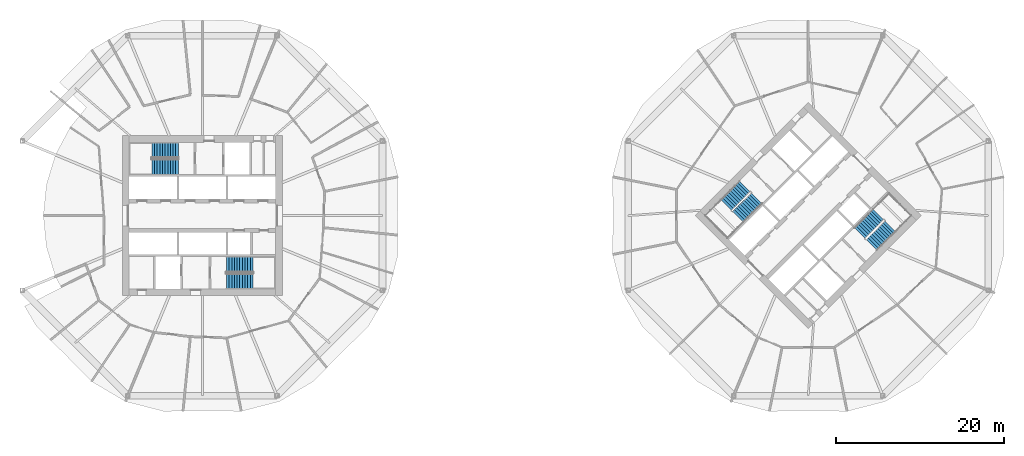
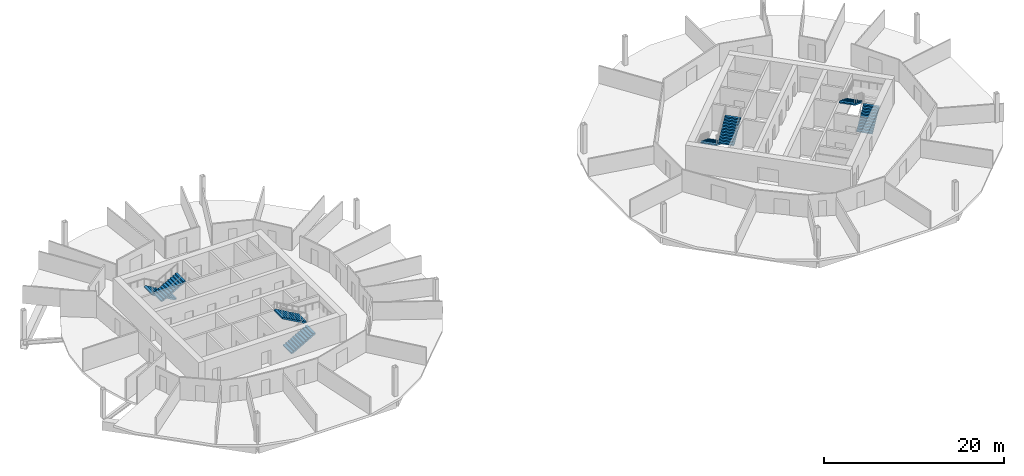
# One storey, part 9 of 10: 8 stair flights, 4 elements without a shape of their own.
"""IFC4 building model written with IfcOpenShell, lengths in metres."""

from ifc_helpers import new_model, si_unit, direction, frame, origin, place, context, subcontext, project, spatial, polyline, outline, extrude, material, type_object, element, aggregate, save


model = new_model("IFC4")

# Units and contexts
model_context = context("Model", 3, precision=1e-05, world=origin(), true_north=direction((0.0, 1.0)))
body_context = subcontext(model_context, "Body", "Model", "MODEL_VIEW")
ifc_project = project(units=[si_unit("LENGTHUNIT", "METRE"), si_unit("AREAUNIT", "SQUARE_METRE"), si_unit("VOLUMEUNIT", "CUBIC_METRE"), si_unit("PLANEANGLEUNIT", "RADIAN"), si_unit("MASSUNIT", "GRAM", prefix="KILO")], contexts=[model_context])

# Site, building, storey
site_placement = place(None, origin())
site = spatial("IfcSite", under=ifc_project, at=site_placement, CompositionType="ELEMENT")
building_placement = place(site_placement, origin())
building = spatial("IfcBuilding", under=site, at=building_placement, Name="Ogive Gate Towers", CompositionType="ELEMENT")
storey_placement = place(building_placement, frame((0.0, 0.0, 103.5)))
storey = spatial("IfcBuildingStorey", under=building, at=storey_placement, Name="L24", CompositionType="ELEMENT", Elevation=103.5)

# Stair, stair flights
ifc_material = material(Name="Concrete C40/50", Category="concrete")
stair_type = type_object("IfcStairType", Name="Escape stair 1840 wide", PredefinedType="HALF_TURN_STAIR", material=ifc_material)
stair_1_placement = place(storey_placement, origin())
stair_1 = element("IfcStair", 1, at=stair_1_placement, inside=storey, type_object=stair_type, Name="L24 Escape stair 1", PredefinedType="HALF_TURN_STAIR")
stair_flight_type = type_object("IfcStairFlightType", Name="Stair flight 1840 wide", PredefinedType="STRAIGHT", material=ifc_material)
stair_flight_1_placement = place(storey_placement, frame((-38.864990234375, 7.780029296875, 0.0), z_axis=(0.0, 0.0, 1.0), x_axis=(-1.0, 0.0, 0.0)))
stair_flight_1 = element("IfcStairFlight", 2, at=stair_flight_1_placement, type_object=stair_flight_type, Name="ST1 flight 1", NumberOfRisers=11, NumberOfTreads=10, PredefinedType="STRAIGHT", RiserHeight=0.177272727, TreadLength=0.313636364, context=body_context, shape_type="SweptSolid", body=[
    extrude(outline(polyline([(0.0, 0.0), (0.0, 0.17724609375), (0.313720703125, 0.17724609375), (0.313720703125, 0.3544921875), (0.627197265625, 0.3544921875), (0.627197265625, 0.53173828125), (0.94091796875, 0.53173828125), (0.94091796875, 0.708984375), (1.254638671875, 0.708984375), (1.254638671875, 0.886474609375), (1.568115234375, 0.886474609375), (1.568115234375, 1.063720703125), (1.8818359375, 1.063720703125), (1.8818359375, 1.240966796875), (2.195556640625, 1.240966796875), (2.195556640625, 1.418212890625), (2.509033203125, 1.418212890625), (2.509033203125, 1.595458984375), (2.82275390625, 1.595458984375), (2.82275390625, 1.772705078125), (3.136474609375, 1.772705078125), (3.136474609375, 1.949951171875), (3.136474609375, 1.6005859375), (0.3046875, 0.0), (0.0, 0.0)])), frame((0.0, 0.919921875, 0.0), z_axis=(0.0, -1.0, 0.0), x_axis=(1.0, 0.0, 0.0)), (0.0, 0.0, 1.0), 1.840087890625),
])
stair_flight_2_placement = place(storey_placement, frame((-42.00146484375, 5.794921875, 1.949951171875), z_axis=(0.0, 0.0, 1.0), x_axis=(1.0, 0.0, 0.0)))
stair_flight_2 = element("IfcStairFlight", 3, at=stair_flight_2_placement, type_object=stair_flight_type, Name="ST1 flight 2", NumberOfRisers=11, NumberOfTreads=10, PredefinedType="STRAIGHT", RiserHeight=0.177272727, TreadLength=0.313636364, context=body_context, shape_type="SweptSolid", body=[
    extrude(outline(polyline([(0.0, 0.0), (0.0, 0.17724609375), (0.313720703125, 0.17724609375), (0.313720703125, 0.3544921875), (0.627197265625, 0.3544921875), (0.627197265625, 0.53173828125), (0.94091796875, 0.53173828125), (0.94091796875, 0.708984375), (1.254638671875, 0.708984375), (1.254638671875, 0.886474609375), (1.568115234375, 0.886474609375), (1.568115234375, 1.063720703125), (1.8818359375, 1.063720703125), (1.8818359375, 1.240966796875), (2.195556640625, 1.240966796875), (2.195556640625, 1.418212890625), (2.509033203125, 1.418212890625), (2.509033203125, 1.595458984375), (2.82275390625, 1.595458984375), (2.82275390625, 1.772705078125), (3.136474609375, 1.772705078125), (3.136474609375, 1.949951171875), (3.136474609375, 1.6005859375), (0.3046875, 0.0), (0.0, 0.0)])), frame((0.0, 0.919921875, 0.0), z_axis=(0.0, -1.0, 0.0), x_axis=(1.0, 0.0, 0.0)), (0.0, 0.0, 1.0), 1.840087890625),
])
aggregate(stair_1, [stair_flight_1, stair_flight_2])

stair_2_placement = place(storey_placement, origin())
stair_2 = element("IfcStair", 4, at=stair_2_placement, inside=storey, type_object=stair_type, Name="L24 Escape stair 2", PredefinedType="HALF_TURN_STAIR")
stair_flight_3_placement = place(storey_placement, frame((-33.135009765625, -7.780029296875, 0.0), z_axis=(0.0, 0.0, 1.0), x_axis=(1.0, 0.0, 0.0)))
stair_flight_3 = element("IfcStairFlight", 5, at=stair_flight_3_placement, type_object=stair_flight_type, Name="ST2 flight 1", NumberOfRisers=11, NumberOfTreads=10, PredefinedType="STRAIGHT", RiserHeight=0.177272727, TreadLength=0.313636364, context=body_context, shape_type="SweptSolid", body=[
    extrude(outline(polyline([(0.0, 0.0), (0.0, 0.17724609375), (0.313720703125, 0.17724609375), (0.313720703125, 0.3544921875), (0.627197265625, 0.3544921875), (0.627197265625, 0.53173828125), (0.94091796875, 0.53173828125), (0.94091796875, 0.708984375), (1.254638671875, 0.708984375), (1.254638671875, 0.886474609375), (1.568115234375, 0.886474609375), (1.568115234375, 1.063720703125), (1.8818359375, 1.063720703125), (1.8818359375, 1.240966796875), (2.195556640625, 1.240966796875), (2.195556640625, 1.418212890625), (2.509033203125, 1.418212890625), (2.509033203125, 1.595458984375), (2.82275390625, 1.595458984375), (2.82275390625, 1.772705078125), (3.136474609375, 1.772705078125), (3.136474609375, 1.949951171875), (3.136474609375, 1.6005859375), (0.3046875, 0.0), (0.0, 0.0)])), frame((0.0, 0.919921875, 0.0), z_axis=(0.0, -1.0, 0.0), x_axis=(1.0, 0.0, 0.0)), (0.0, 0.0, 1.0), 1.840087890625),
])
stair_flight_4_placement = place(storey_placement, frame((-29.99853515625, -5.794921875, 1.949951171875), z_axis=(0.0, 0.0, 1.0), x_axis=(-1.0, 0.0, 0.0)))
stair_flight_4 = element("IfcStairFlight", 6, at=stair_flight_4_placement, type_object=stair_flight_type, Name="ST2 flight 2", NumberOfRisers=11, NumberOfTreads=10, PredefinedType="STRAIGHT", RiserHeight=0.177272727, TreadLength=0.313636364, context=body_context, shape_type="SweptSolid", body=[
    extrude(outline(polyline([(0.0, 0.0), (0.0, 0.17724609375), (0.313720703125, 0.17724609375), (0.313720703125, 0.3544921875), (0.627197265625, 0.3544921875), (0.627197265625, 0.53173828125), (0.94091796875, 0.53173828125), (0.94091796875, 0.708984375), (1.254638671875, 0.708984375), (1.254638671875, 0.886474609375), (1.568115234375, 0.886474609375), (1.568115234375, 1.063720703125), (1.8818359375, 1.063720703125), (1.8818359375, 1.240966796875), (2.195556640625, 1.240966796875), (2.195556640625, 1.418212890625), (2.509033203125, 1.418212890625), (2.509033203125, 1.595458984375), (2.82275390625, 1.595458984375), (2.82275390625, 1.772705078125), (3.136474609375, 1.772705078125), (3.136474609375, 1.949951171875), (3.136474609375, 1.6005859375), (0.3046875, 0.0), (0.0, 0.0)])), frame((0.0, 0.919921875, 0.0), z_axis=(0.0, -1.0, 0.0), x_axis=(1.0, 0.0, 0.0)), (0.0, 0.0, 1.0), 1.840087890625),
])
aggregate(stair_2, [stair_flight_3, stair_flight_4])

stair_3_placement = place(storey_placement, origin())
stair_3 = element("IfcStair", 7, at=stair_3_placement, inside=storey, type_object=stair_type, Name="L24 Escape stair 1", PredefinedType="HALF_TURN_STAIR")
stair_flight_5_placement = place(storey_placement, frame((28.472900390625, 3.475341796875, 0.0), z_axis=(0.0, 0.0, 1.0), x_axis=(-0.707106781187, -0.707106781187, 0.0)))
stair_flight_5 = element("IfcStairFlight", 8, at=stair_flight_5_placement, type_object=stair_flight_type, Name="ST1 flight 1", NumberOfRisers=11, NumberOfTreads=10, PredefinedType="STRAIGHT", RiserHeight=0.177272727, TreadLength=0.313636364, context=body_context, shape_type="SweptSolid", body=[
    extrude(outline(polyline([(0.0, 0.0), (0.0, 0.17724609375), (0.313720703125, 0.17724609375), (0.313720703125, 0.3544921875), (0.627197265625, 0.3544921875), (0.627197265625, 0.53173828125), (0.94091796875, 0.53173828125), (0.94091796875, 0.708984375), (1.254638671875, 0.708984375), (1.254638671875, 0.886474609375), (1.568115234375, 0.886474609375), (1.568115234375, 1.063720703125), (1.8818359375, 1.063720703125), (1.8818359375, 1.240966796875), (2.195556640625, 1.240966796875), (2.195556640625, 1.418212890625), (2.509033203125, 1.418212890625), (2.509033203125, 1.595458984375), (2.82275390625, 1.595458984375), (2.82275390625, 1.772705078125), (3.136474609375, 1.772705078125), (3.136474609375, 1.949951171875), (3.136474609375, 1.6005859375), (0.3046875, 0.0), (0.0, 0.0)])), frame((0.0, 0.919921875, 0.0), z_axis=(0.0, -1.0, 0.0), x_axis=(1.0, 0.0, 0.0)), (0.0, 0.0, 1.0), 1.840087890625),
])
stair_flight_6_placement = place(storey_placement, frame((27.65869140625, -0.14599609375, 1.949951171875), z_axis=(0.0, 0.0, 1.0), x_axis=(0.707106781187, 0.707106781187, 0.0)))
stair_flight_6 = element("IfcStairFlight", 9, at=stair_flight_6_placement, type_object=stair_flight_type, Name="ST1 flight 2", NumberOfRisers=11, NumberOfTreads=10, PredefinedType="STRAIGHT", RiserHeight=0.177272727, TreadLength=0.313636364, context=body_context, shape_type="SweptSolid", body=[
    extrude(outline(polyline([(0.0, 0.0), (0.0, 0.17724609375), (0.313720703125, 0.17724609375), (0.313720703125, 0.3544921875), (0.627197265625, 0.3544921875), (0.627197265625, 0.53173828125), (0.94091796875, 0.53173828125), (0.94091796875, 0.708984375), (1.254638671875, 0.708984375), (1.254638671875, 0.886474609375), (1.568115234375, 0.886474609375), (1.568115234375, 1.063720703125), (1.8818359375, 1.063720703125), (1.8818359375, 1.240966796875), (2.195556640625, 1.240966796875), (2.195556640625, 1.418212890625), (2.509033203125, 1.418212890625), (2.509033203125, 1.595458984375), (2.82275390625, 1.595458984375), (2.82275390625, 1.772705078125), (3.136474609375, 1.772705078125), (3.136474609375, 1.949951171875), (3.136474609375, 1.6005859375), (0.3046875, 0.0), (0.0, 0.0)])), frame((0.0, 0.919921875, 0.0), z_axis=(0.0, -1.0, 0.0), x_axis=(1.0, 0.0, 0.0)), (0.0, 0.0, 1.0), 1.840087890625),
])
aggregate(stair_3, [stair_flight_5, stair_flight_6])

stair_4_placement = place(storey_placement, origin())
stair_4 = element("IfcStair", 10, at=stair_4_placement, inside=storey, type_object=stair_type, Name="L24 Escape stair 2", PredefinedType="HALF_TURN_STAIR")
stair_flight_7_placement = place(storey_placement, frame((43.527099609375, -3.475341796875, 0.0), z_axis=(0.0, 0.0, 1.0), x_axis=(0.707106781187, 0.707106781187, 0.0)))
stair_flight_7 = element("IfcStairFlight", 11, at=stair_flight_7_placement, type_object=stair_flight_type, Name="ST2 flight 1", NumberOfRisers=11, NumberOfTreads=10, PredefinedType="STRAIGHT", RiserHeight=0.177272727, TreadLength=0.313636364, context=body_context, shape_type="SweptSolid", body=[
    extrude(outline(polyline([(0.0, 0.0), (0.0, 0.17724609375), (0.313720703125, 0.17724609375), (0.313720703125, 0.3544921875), (0.627197265625, 0.3544921875), (0.627197265625, 0.53173828125), (0.94091796875, 0.53173828125), (0.94091796875, 0.708984375), (1.254638671875, 0.708984375), (1.254638671875, 0.886474609375), (1.568115234375, 0.886474609375), (1.568115234375, 1.063720703125), (1.8818359375, 1.063720703125), (1.8818359375, 1.240966796875), (2.195556640625, 1.240966796875), (2.195556640625, 1.418212890625), (2.509033203125, 1.418212890625), (2.509033203125, 1.595458984375), (2.82275390625, 1.595458984375), (2.82275390625, 1.772705078125), (3.136474609375, 1.772705078125), (3.136474609375, 1.949951171875), (3.136474609375, 1.6005859375), (0.3046875, 0.0), (0.0, 0.0)])), frame((0.0, 0.919921875, 0.0), z_axis=(0.0, -1.0, 0.0), x_axis=(1.0, 0.0, 0.0)), (0.0, 0.0, 1.0), 1.840087890625),
])
stair_flight_8_placement = place(storey_placement, frame((44.34130859375, 0.14599609375, 1.949951171875), z_axis=(0.0, 0.0, 1.0), x_axis=(-0.707106781187, -0.707106781187, 0.0)))
stair_flight_8 = element("IfcStairFlight", 12, at=stair_flight_8_placement, type_object=stair_flight_type, Name="ST2 flight 2", NumberOfRisers=11, NumberOfTreads=10, PredefinedType="STRAIGHT", RiserHeight=0.177272727, TreadLength=0.313636364, context=body_context, shape_type="SweptSolid", body=[
    extrude(outline(polyline([(0.0, 0.0), (0.0, 0.17724609375), (0.313720703125, 0.17724609375), (0.313720703125, 0.3544921875), (0.627197265625, 0.3544921875), (0.627197265625, 0.53173828125), (0.94091796875, 0.53173828125), (0.94091796875, 0.708984375), (1.254638671875, 0.708984375), (1.254638671875, 0.886474609375), (1.568115234375, 0.886474609375), (1.568115234375, 1.063720703125), (1.8818359375, 1.063720703125), (1.8818359375, 1.240966796875), (2.195556640625, 1.240966796875), (2.195556640625, 1.418212890625), (2.509033203125, 1.418212890625), (2.509033203125, 1.595458984375), (2.82275390625, 1.595458984375), (2.82275390625, 1.772705078125), (3.136474609375, 1.772705078125), (3.136474609375, 1.949951171875), (3.136474609375, 1.6005859375), (0.3046875, 0.0), (0.0, 0.0)])), frame((0.0, 0.919921875, 0.0), z_axis=(0.0, -1.0, 0.0), x_axis=(1.0, 0.0, 0.0)), (0.0, 0.0, 1.0), 1.840087890625),
])
aggregate(stair_4, [stair_flight_7, stair_flight_8])

save(model, "model.ifc")
